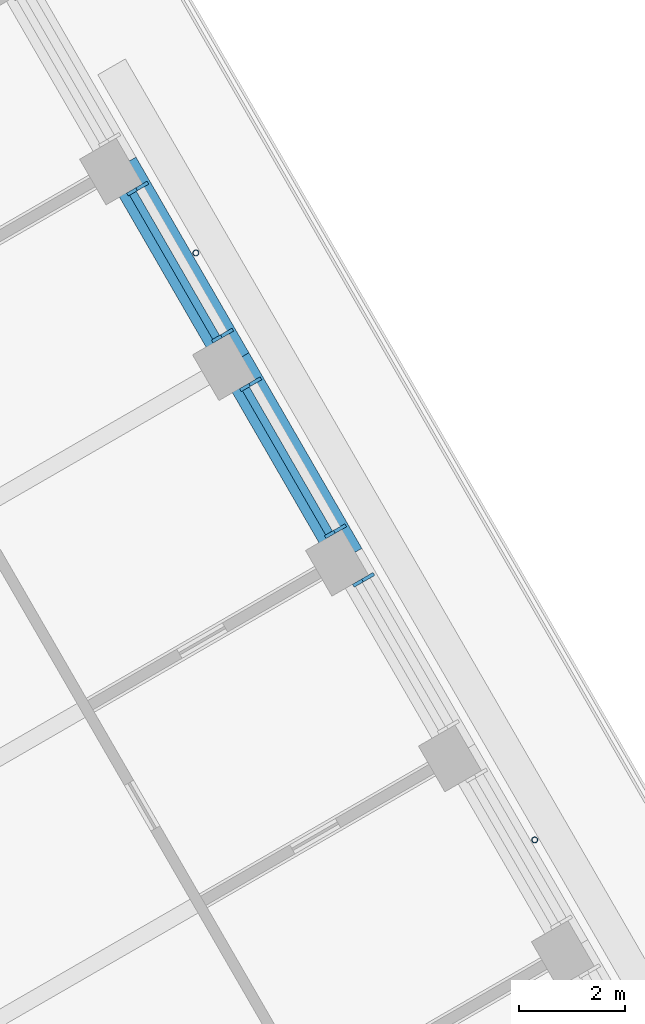
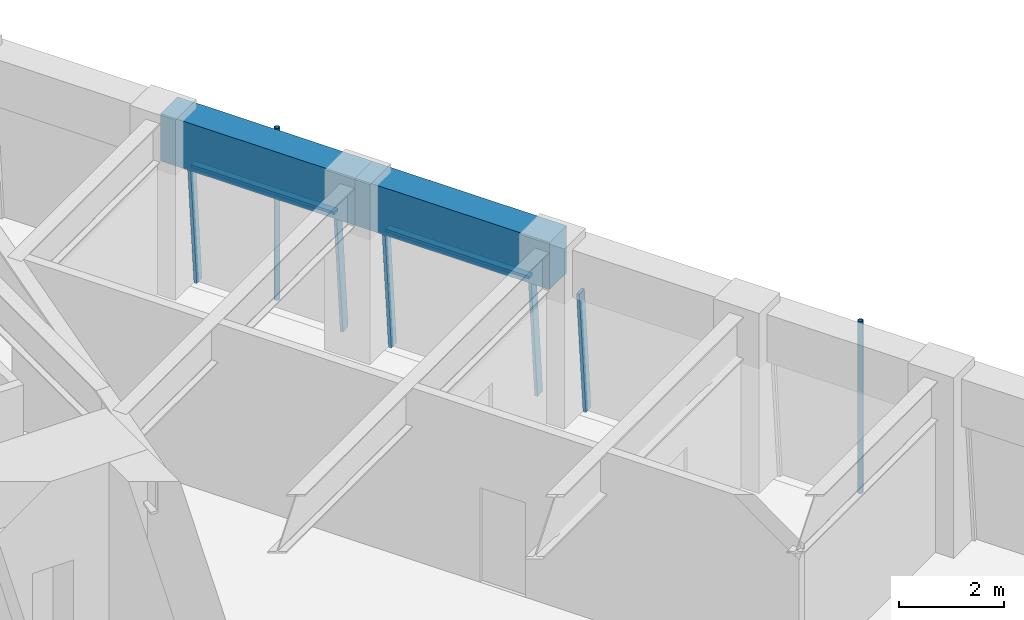
# One storey, part 10 of 19: 9 members, 2 beams, 3 elements without a shape of their own.
"""IFC4 building model written with IfcOpenShell, lengths in metres."""

from ifc_helpers import new_model, si_unit, direction, frame, origin, origin_2d, place, context, subcontext, project, spatial, rectangle, hollow_circle, extrude, material, material_profile, profile_set, type_object, element, aggregate, save


model = new_model("IFC4")

# Units and contexts
model_context = context("Model", 3, precision=1e-05, world=origin(), true_north=direction((0.0, 1.0)))
body_context = subcontext(model_context, "Body", "Model", "MODEL_VIEW")
ifc_project = project(units=[si_unit("LENGTHUNIT", "METRE"), si_unit("AREAUNIT", "SQUARE_METRE"), si_unit("VOLUMEUNIT", "CUBIC_METRE"), si_unit("PLANEANGLEUNIT", "RADIAN"), si_unit("MASSUNIT", "GRAM", prefix="KILO")], contexts=[model_context])

# Site, building, storey
site_placement = place(None, origin())
site = spatial("IfcSite", under=ifc_project, at=site_placement, CompositionType="ELEMENT")
building_placement = place(site_placement, origin())
building = spatial("IfcBuilding", under=site, at=building_placement, Name="Tarfa Lantern Tower", CompositionType="ELEMENT")
storey_placement = place(building_placement, frame((0.0, 0.0, 340.89990234375)))
storey = spatial("IfcBuildingStorey", under=building, at=storey_placement, Name="L77", CompositionType="ELEMENT", Elevation=340.89990234375)

# Curtain wall, member
ifc_material_1 = material(Name="Aluminium framed curtain wall", Category="aluminium")
curtain_wall_type = type_object("IfcCurtainWallType", Name="CW4 CANTED GLAZING EXECUTIVE ZONE 2900", PredefinedType="USERDEFINED", material=ifc_material_1)
curtain_wall_1_placement = place(storey_placement, origin())
curtain_wall_1 = element("IfcCurtainWall", 1, at=curtain_wall_1_placement, inside=storey, type_object=curtain_wall_type, Name="CW4 NE L77", ObjectType="CURTAIN WALL", PredefinedType="USERDEFINED")
ifc_material_2 = material(Name="Aluminium mullion", Category="aluminium")
ifc_material_profile_1 = material_profile(ifc_material_2, rectangle(XDim=0.06494140625, YDim=0.199951171875, at=origin_2d()), Name="AL MULLION 65x200")
ifc_profile_set_1 = profile_set([ifc_material_profile_1], Name="Aluminium mullion")
member_type_1 = type_object("IfcMemberType", Name="CWM1 MULLION 65x200", PredefinedType="MULLION", material=ifc_profile_set_1)
member_1_placement = place(storey_placement, frame((23.345947265625, 12.86376953125, 0.0), z_axis=(-0.074393603155, -0.042941967097, 0.996303959277), x_axis=(0.499919672301, -0.866071776036, 0.0)))
member_1 = element("IfcMember", 2, at=member_1_placement, type_object=member_type_1, Name="CW4 mullion 2", PredefinedType="MULLION", context=body_context, shape_type="SweptSolid", body=[
    extrude(rectangle(XDim=0.06494140625, YDim=0.199951171875, at=origin_2d()), origin(), (0.0, 0.0, 1.0), 2.910888671875),
])
aggregate(curtain_wall_1, [member_1])

# Curtain wall, members
curtain_wall_2_placement = place(storey_placement, origin())
curtain_wall_2 = element("IfcCurtainWall", 3, at=curtain_wall_2_placement, inside=storey, type_object=curtain_wall_type, Name="CW4 NE L77", ObjectType="CURTAIN WALL", PredefinedType="USERDEFINED")
member_2_placement = place(storey_placement, frame((22.813232421875, 13.7861328125, 0.0), z_axis=(-0.074310195522, -0.042942234884, 0.996310172238), x_axis=(0.500342721131, -0.865827443207, 0.0)))
member_2 = element("IfcMember", 4, at=member_2_placement, type_object=member_type_1, Name="CW4 mullion 1", PredefinedType="MULLION", context=body_context, shape_type="SweptSolid", body=[
    extrude(rectangle(XDim=0.06494140625, YDim=0.199951171875, at=origin_2d()), origin(), (0.0, 0.0, 1.0), 2.910888671875),
])
member_3_placement = place(storey_placement, frame((21.204833984375, 16.572265625, 0.0), z_axis=(-0.074393603155, -0.042941967097, 0.996303959277), x_axis=(0.499919672301, -0.866071776036, 0.0)))
member_3 = element("IfcMember", 5, at=member_3_placement, type_object=member_type_1, Name="CW4 mullion 2", PredefinedType="MULLION", context=body_context, shape_type="SweptSolid", body=[
    extrude(rectangle(XDim=0.06494140625, YDim=0.199951171875, at=origin_2d()), origin(), (0.0, 0.0, 1.0), 2.910888671875),
])

curtain_wall_3_placement = place(storey_placement, origin())
curtain_wall_3 = element("IfcCurtainWall", 6, at=curtain_wall_3_placement, inside=storey, type_object=curtain_wall_type, Name="CW4 NE L77", ObjectType="CURTAIN WALL", PredefinedType="USERDEFINED")
member_4_placement = place(storey_placement, frame((20.67236328125, 17.494384765625, 0.0), z_axis=(-0.074393603155, -0.042941967097, 0.996303959277), x_axis=(0.499919672301, -0.866071776036, 0.0)))
member_4 = element("IfcMember", 7, at=member_4_placement, type_object=member_type_1, Name="CW4 mullion 1", PredefinedType="MULLION", context=body_context, shape_type="SweptSolid", body=[
    extrude(rectangle(XDim=0.06494140625, YDim=0.199951171875, at=origin_2d()), origin(), (0.0, 0.0, 1.0), 2.910888671875),
])
member_5_placement = place(storey_placement, frame((19.063720703125, 20.280517578125, 0.0), z_axis=(-0.074310195522, -0.042942234884, 0.996310172238), x_axis=(0.500342721131, -0.865827443207, 0.0)))
member_5 = element("IfcMember", 8, at=member_5_placement, type_object=member_type_1, Name="CW4 mullion 2", PredefinedType="MULLION", context=body_context, shape_type="SweptSolid", body=[
    extrude(rectangle(XDim=0.06494140625, YDim=0.199951171875, at=origin_2d()), origin(), (0.0, 0.0, 1.0), 2.910888671875),
])

# Member
ifc_material_3 = material(Name="Aluminium transom", Category="aluminium")
ifc_material_profile_2 = material_profile(ifc_material_3, rectangle(XDim=0.14990234375, YDim=0.06494140625, at=origin_2d()), Name="AL TRANSOM 150x65")
ifc_profile_set_2 = profile_set([ifc_material_profile_2], Name="Aluminium transom")
member_type_2 = type_object("IfcMemberType", Name="CWT1 TRANSOM 150x65", PredefinedType="USERDEFINED", material=ifc_profile_set_2)
member_6_placement = place(storey_placement, frame((22.5830078125, 13.690673828125, 2.86767578125), z_axis=(-0.499979472441, 0.866037255052, 0.0), x_axis=(-0.866037255052, -0.499979472441, 0.0)))
member_6 = element("IfcMember", 9, at=member_6_placement, type_object=member_type_2, Name="CW4 transom 1.2", ObjectType="TRANSOM", PredefinedType="USERDEFINED", context=body_context, shape_type="SweptSolid", body=[
    extrude(rectangle(XDim=0.14990234375, YDim=0.06494140625, at=origin_2d()), origin(), (0.0, 0.0, 1.0), 3.152099609375),
])

aggregate(curtain_wall_2, [member_2, member_3, member_6])

member_7_placement = place(storey_placement, frame((20.44189453125, 17.39892578125, 2.86767578125), z_axis=(-0.499979472441, 0.866037255052, 0.0), x_axis=(-0.866037255052, -0.499979472441, 0.0)))
member_7 = element("IfcMember", 10, at=member_7_placement, type_object=member_type_2, Name="CW4 transom 1.2", ObjectType="TRANSOM", PredefinedType="USERDEFINED", context=body_context, shape_type="SweptSolid", body=[
    extrude(rectangle(XDim=0.14990234375, YDim=0.06494140625, at=origin_2d()), origin(), (0.0, 0.0, 1.0), 3.152099609375),
])

aggregate(curtain_wall_3, [member_4, member_5, member_7])

# Beams
ifc_material_4 = material(Name="Concrete C80/95", Category="concrete")
ifc_material_profile_3 = material_profile(ifc_material_4, rectangle(XDim=0.64990234375, YDim=1.10009765625, at=origin_2d()), Name="RC 650x1100")
ifc_profile_set_3 = profile_set([ifc_material_profile_3], Name="Concrete C80/95")
beam_type = type_object("IfcBeamType", Name="EB4 RC 650x1100", PredefinedType="SPANDREL", material=ifc_profile_set_3)
for number, where, z_axis, x_axis, name in (
    (11, (22.923583984375, 13.235107421875, 3.4501953125), (-0.499984039138, 0.866034618596, 0.0), (-0.866034618596, -0.499984039138, 0.0), "Edge beam NE3"),
    (12, (20.78271484375, 16.943359375, 3.4501953125), (-0.500026801138, 0.866009929587, 0.0), (-0.866009929587, -0.500026801138, 0.0), "Edge beam NE4"),
):
    element("IfcBeam", number, at=place(storey_placement, frame(where, z_axis=z_axis, x_axis=x_axis)), inside=storey, type_object=beam_type, Name=name, PredefinedType="SPANDREL", context=body_context, shape_type="SweptSolid", body=[
        extrude(rectangle(XDim=0.64990234375, YDim=1.10009765625, at=origin_2d()), origin(), (0.0, 0.0, 1.0), 4.281982421875),
    ])

# Members
ifc_material_5 = material(Name="Steel S355", Category="steel")
ifc_material_profile_4 = material_profile(ifc_material_5, hollow_circle(Radius=0.05712890625, WallThickness=0.00634765625, at=origin_2d()), Name="CHS114.3x6.3")
ifc_profile_set_4 = profile_set([ifc_material_profile_4], Name="Steel S355")
member_type_3 = type_object("IfcMemberType", Name="TR1 GREEN WALL TRELLIS CHS114.3x6.3", PredefinedType="USERDEFINED", material=ifc_profile_set_4)
for number, where, z_axis, x_axis, name in (
    (13, (26.481689453125, 7.87255859375, 0.0), (0.0, 0.0, 1.0), (1.0, 0.0, 0.0), "Trellis post NE 1"),
    (14, (20.05859375, 18.99755859375, 0.0), (0.0, 0.0, 1.0), (1.0, 0.0, 0.0), "Trellis post NE 2"),
):
    element("IfcMember", number, at=place(storey_placement, frame(where, z_axis=z_axis, x_axis=x_axis)), inside=storey, type_object=member_type_3, Name=name, ObjectType="TRELLIS", PredefinedType="USERDEFINED", context=body_context, shape_type="SweptSolid", body=[
        extrude(hollow_circle(Radius=0.05712890625, WallThickness=0.00634765625, at=origin_2d()), origin(), (0.0, 0.0, 1.0), 4.0),
    ])

save(model, "model.ifc")
